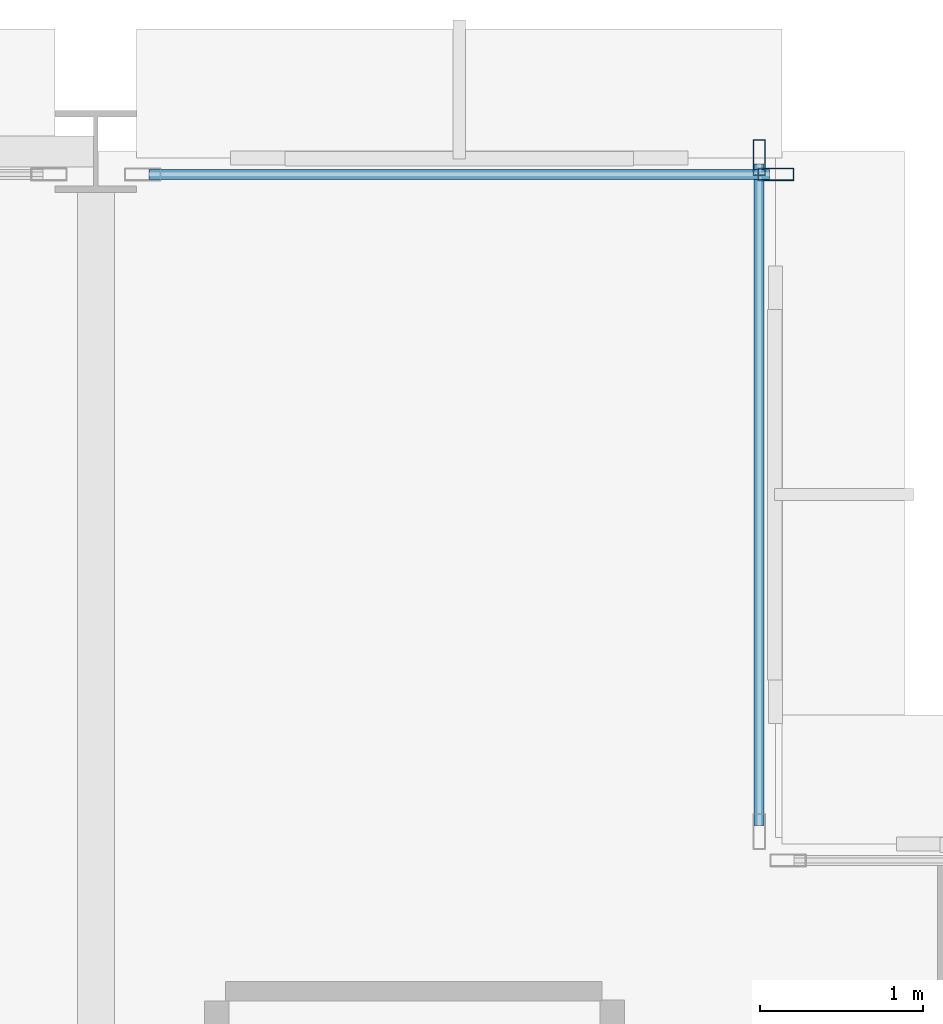
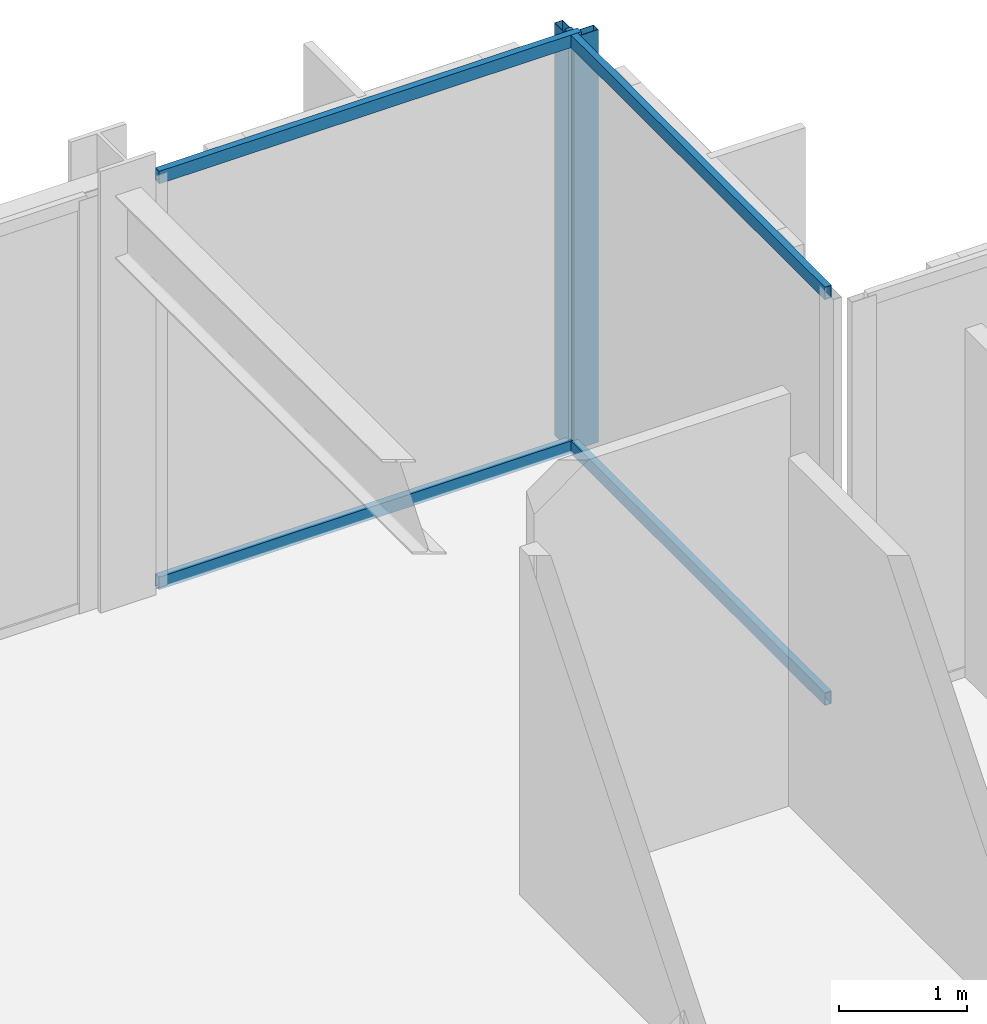
# One storey, part 20 of 30: 6 members, 2 elements without a shape of their own.
"""IFC4 building model written with IfcOpenShell, lengths in metres."""

from ifc_helpers import new_model, si_unit, direction, frame, origin, origin_2d, place, context, subcontext, project, spatial, hollow_rectangle, extrude, material, layer, layer_set, material_profile, profile_set, type_object, element, aggregate, save


model = new_model("IFC4")

# Units and contexts
model_context = context("Model", 3, precision=1e-05, world=origin(), true_north=direction((0.0, 1.0)))
body_context = subcontext(model_context, "Body", "Model", "MODEL_VIEW")
ifc_project = project(units=[si_unit("LENGTHUNIT", "METRE"), si_unit("AREAUNIT", "SQUARE_METRE"), si_unit("VOLUMEUNIT", "CUBIC_METRE"), si_unit("PLANEANGLEUNIT", "RADIAN"), si_unit("MASSUNIT", "GRAM", prefix="KILO")], contexts=[model_context])

# Site, building, storey
site_placement = place(None, origin())
site = spatial("IfcSite", under=ifc_project, at=site_placement, CompositionType="ELEMENT")
building_placement = place(site_placement, origin())
building = spatial("IfcBuilding", under=site, at=building_placement, Name="Nerrivon Quay Data Exchange", CompositionType="ELEMENT")
storey_placement = place(building_placement, frame((0.0, 0.0, 62.60009765625)))
storey = spatial("IfcBuildingStorey", under=building, at=storey_placement, Name="L14", CompositionType="ELEMENT", Elevation=62.60009765625)

# Curtain wall, member
ifc_material = material(Name="Anodised aluminium 6063-T6", Category="aluminium")
ifc_layer = layer(ifc_material, 0.219970703125)
ifc_layer_set = layer_set([ifc_layer], Name="Anodised aluminium 6063-T6")
curtain_wall_type = type_object("IfcCurtainWallType", Name="CW-SYS-01", PredefinedType="NOTDEFINED", material=ifc_layer_set)
curtain_wall_1_placement = place(storey_placement, origin())
curtain_wall_1 = element("IfcCurtainWall", 1, at=curtain_wall_1_placement, inside=storey, type_object=curtain_wall_type, Name="L14 Unitised Curtain Wall 26", PredefinedType="NOTDEFINED")
ifc_material_profile_1 = material_profile(ifc_material, hollow_rectangle(XDim=0.074951171875, YDim=0.219970703125, WallThickness=0.00390625, at=origin_2d()), Name="ALU-MULL-220x75")
ifc_profile_set_1 = profile_set([ifc_material_profile_1], Name="Anodised aluminium 6063-T6")
member_type_1 = type_object("IfcMemberType", Name="CWM-220x75", PredefinedType="MULLION", material=ifc_profile_set_1)
member_1_placement = place(storey_placement, frame((20.96240234375, 50.260009765625, 0.0), z_axis=(0.0, 0.0, 1.0), x_axis=(0.0, 1.0, 0.0)))
member_1 = element("IfcMember", 2, at=member_1_placement, type_object=member_type_1, Name="CW01 mullion 2", PredefinedType="MULLION", context=body_context, shape_type="SweptSolid", body=[
    extrude(hollow_rectangle(XDim=0.074951171875, YDim=0.219970703125, WallThickness=0.00390625, at=origin_2d()), origin(), (0.0, 0.0, 1.0), 3.9248046875),
])

curtain_wall_2_placement = place(storey_placement, origin())
curtain_wall_2 = element("IfcCurtainWall", 3, at=curtain_wall_2_placement, inside=storey, type_object=curtain_wall_type, Name="L14 Unitised Curtain Wall 27", PredefinedType="NOTDEFINED")
member_2_placement = place(storey_placement, frame((20.860107421875, 50.362548828125, 0.0), z_axis=(0.0, 0.0, 1.0), x_axis=(1.0, 0.0, 0.0)))
member_2 = element("IfcMember", 4, at=member_2_placement, type_object=member_type_1, Name="CW01 mullion 1", PredefinedType="MULLION", context=body_context, shape_type="SweptSolid", body=[
    extrude(hollow_rectangle(XDim=0.074951171875, YDim=0.219970703125, WallThickness=0.00390625, at=origin_2d()), origin(), (0.0, 0.0, 1.0), 3.9248046875),
])

# Member
ifc_material_profile_2 = material_profile(ifc_material, hollow_rectangle(XDim=0.06005859375, YDim=0.1201171875, WallThickness=0.003173828125, at=origin_2d()), Name="ALU-TRAN-120x60")
ifc_profile_set_2 = profile_set([ifc_material_profile_2], Name="Anodised aluminium 6063-T6")
member_type_2 = type_object("IfcMemberType", Name="CWT-120x60", PredefinedType="USERDEFINED", material=ifc_profile_set_2)
member_3_placement = place(storey_placement, frame((17.125, 50.260009765625, 0.032470703125), z_axis=(1.0, 0.0, 0.0), x_axis=(0.0, 1.0, 0.0)))
member_3 = element("IfcMember", 5, at=member_3_placement, type_object=member_type_2, Name="CW01 transom 1.1", ObjectType="TRANSOM", PredefinedType="USERDEFINED", context=body_context, shape_type="SweptSolid", body=[
    extrude(hollow_rectangle(XDim=0.06005859375, YDim=0.1201171875, WallThickness=0.003173828125, at=origin_2d()), origin(), (0.0, 0.0, 1.0), 3.800048828125),
])

member_4_placement = place(storey_placement, frame((17.125, 50.260009765625, 3.892333984375), z_axis=(1.0, 0.0, 0.0), x_axis=(0.0, 1.0, 0.0)))
member_4 = element("IfcMember", 6, at=member_4_placement, type_object=member_type_2, Name="CW01 transom 1.2", ObjectType="TRANSOM", PredefinedType="USERDEFINED", context=body_context, shape_type="SweptSolid", body=[
    extrude(hollow_rectangle(XDim=0.06005859375, YDim=0.1201171875, WallThickness=0.003173828125, at=origin_2d()), origin(), (0.0, 0.0, 1.0), 3.800048828125),
])

aggregate(curtain_wall_1, [member_1, member_3, member_4])

member_5_placement = place(storey_placement, frame((20.860107421875, 50.324951171875, 0.032470703125), z_axis=(0.0, -1.0, 0.0), x_axis=(1.0, 0.0, 0.0)))
member_5 = element("IfcMember", 7, at=member_5_placement, type_object=member_type_2, Name="CW01 transom 1.1", ObjectType="TRANSOM", PredefinedType="USERDEFINED", context=body_context, shape_type="SweptSolid", body=[
    extrude(hollow_rectangle(XDim=0.06005859375, YDim=0.1201171875, WallThickness=0.003173828125, at=origin_2d()), origin(), (0.0, 0.0, 1.0), 4.050048828125),
])

member_6_placement = place(storey_placement, frame((20.860107421875, 50.324951171875, 3.892333984375), z_axis=(0.0, -1.0, 0.0), x_axis=(1.0, 0.0, 0.0)))
member_6 = element("IfcMember", 8, at=member_6_placement, type_object=member_type_2, Name="CW01 transom 1.2", ObjectType="TRANSOM", PredefinedType="USERDEFINED", context=body_context, shape_type="SweptSolid", body=[
    extrude(hollow_rectangle(XDim=0.06005859375, YDim=0.1201171875, WallThickness=0.003173828125, at=origin_2d()), origin(), (0.0, 0.0, 1.0), 4.050048828125),
])

aggregate(curtain_wall_2, [member_2, member_5, member_6])

save(model, "model.ifc")
